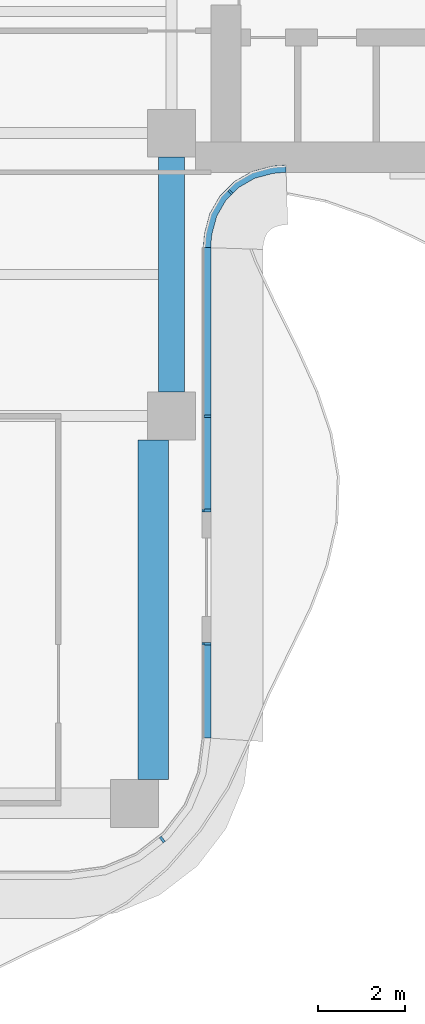
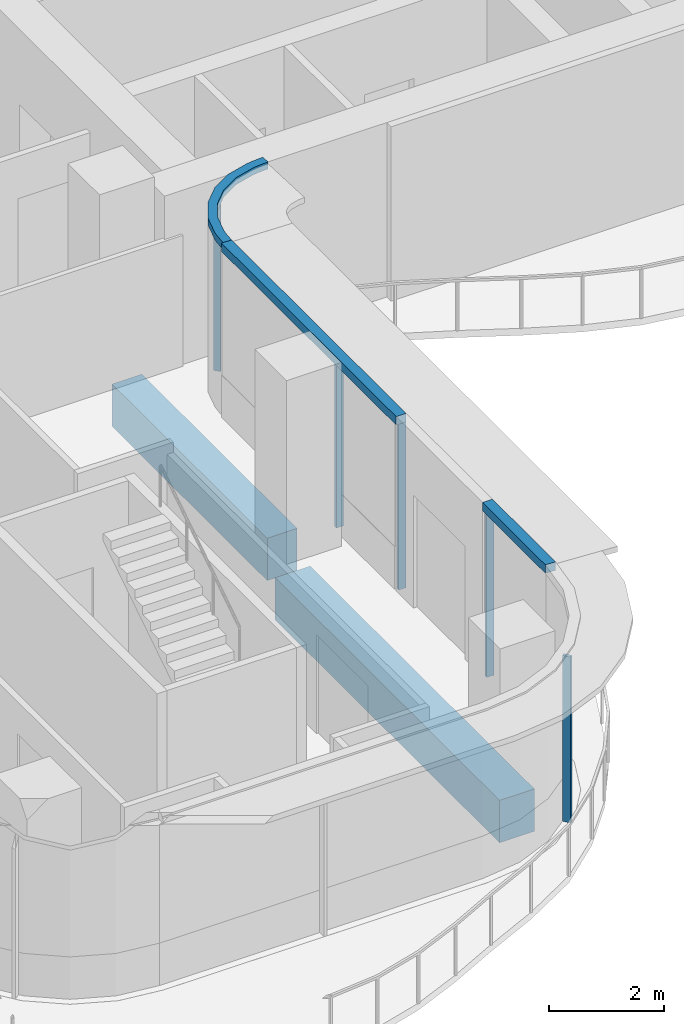
# One storey, part 5 of 16: 8 members, 2 beams, 4 elements without a shape of their own.
"""IFC4 building model written with IfcOpenShell, lengths in metres."""

from ifc_helpers import new_model, si_unit, direction, frame, origin, origin_2d, place, context, subcontext, project, spatial, polyline, rectangle, outline, extrude, source, transform, mapped, material, layer, layer_set, material_profile, profile_set, type_object, element, aggregate, save


model = new_model("IFC4")

# Units and contexts
model_context = context("Model", 3, precision=1e-05, world=origin(), true_north=direction((0.0, 1.0)))
body_context = subcontext(model_context, "Body", "Model", "MODEL_VIEW")
ifc_project = project(units=[si_unit("LENGTHUNIT", "METRE"), si_unit("AREAUNIT", "SQUARE_METRE"), si_unit("VOLUMEUNIT", "CUBIC_METRE"), si_unit("PLANEANGLEUNIT", "RADIAN"), si_unit("MASSUNIT", "GRAM", prefix="KILO")], contexts=[model_context])

# Site, building, storey
site_placement = place(None, origin())
site = spatial("IfcSite", under=ifc_project, at=site_placement, CompositionType="ELEMENT")
building_placement = place(site_placement, origin())
building = spatial("IfcBuilding", under=site, at=building_placement, Name="Trellis Farm Tower", CompositionType="ELEMENT")
storey_placement = place(building_placement, frame((0.0, 0.0, 251.89990234375)))
storey = spatial("IfcBuildingStorey", under=building, at=storey_placement, Name="L56", CompositionType="ELEMENT", Elevation=251.89990234375)

# Beams
ifc_material_1 = material(Name="Concrete C60/75", Category="concrete")
ifc_material_profile_1 = material_profile(ifc_material_1, rectangle(XDim=0.60009765625, YDim=0.89990234375, at=origin_2d()), Name="RC spandrel beam 600x900 C60/75")
ifc_profile_set_1 = profile_set([ifc_material_profile_1], Name="Concrete C60/75")
beam_type_1 = type_object("IfcBeamType", Name="RC spandrel beam 600x900 C60/75", PredefinedType="SPANDREL", material=ifc_profile_set_1)
shared_shape_1 = source(origin(), body_context, "Body", "SweptSolid", [
    extrude(rectangle(XDim=0.60009765625, YDim=0.89990234375, at=origin_2d()), origin(), (0.0, 0.0, 1.0), 5.400146484375),
])
beam_1_placement = place(storey_placement, frame((5.60009765625, -11.550048828125, -0.64990234375), z_axis=(0.0, 1.0, 0.0), x_axis=(-1.0, 0.0, 0.0)))
element("IfcBeam", 1, at=beam_1_placement, inside=storey, type_object=beam_type_1, Name="Girder", PredefinedType="SPANDREL", context=body_context, shape_type="MappedRepresentation", body=[
    mapped(shared_shape_1, transform((0.0, 0.0, 0.0))),
])
ifc_material_profile_2 = material_profile(ifc_material_1, rectangle(XDim=0.699951171875, YDim=0.89990234375, at=origin_2d()), Name="RC spandrel beam 700x900 C60/75")
ifc_profile_set_2 = profile_set([ifc_material_profile_2], Name="Concrete C60/75")
beam_type_2 = type_object("IfcBeamType", Name="RC spandrel beam 700x900 C60/75", PredefinedType="SPANDREL", material=ifc_profile_set_2)
shared_shape_2 = source(origin(), body_context, "Body", "SweptSolid", [
    extrude(rectangle(XDim=0.699951171875, YDim=0.89990234375, at=origin_2d()), origin(), (0.0, 0.0, 1.0), 7.800048828125),
])
beam_2_placement = place(storey_placement, frame((5.175048828125, -20.449951171875, -0.64990234375), z_axis=(0.0, 1.0, 0.0), x_axis=(-1.0, 0.0, 0.0)))
element("IfcBeam", 2, at=beam_2_placement, inside=storey, type_object=beam_type_2, Name="Girder", PredefinedType="SPANDREL", context=body_context, shape_type="MappedRepresentation", body=[
    mapped(shared_shape_2, transform((0.0, 0.0, 0.0))),
])

# Curtain wall, member
ifc_material_2 = material(Name="Aluminium and glass curtain wall", Category="aluminium")
ifc_layer_1 = layer(ifc_material_2, 0.18994140625)
ifc_layer_set_1 = layer_set([ifc_layer_1], Name="RIBBON CURTAIN WALL CW1")
curtain_wall_type_1 = type_object("IfcCurtainWallType", Name="RIBBON CURTAIN WALL CW1", PredefinedType="NOTDEFINED", material=ifc_layer_set_1)
placement_1 = place(storey_placement, origin())
curtain_wall_1 = element("IfcCurtainWall", 3, at=placement_1, inside=storey, type_object=curtain_wall_type_1, Name="CW1 003", PredefinedType="NOTDEFINED")
ifc_material_3 = material(Name="Aluminium extrusion 6063-T6", Category="aluminium")
ifc_material_profile_3 = material_profile(ifc_material_3, rectangle(XDim=0.06005859375, YDim=0.14990234375, at=origin_2d()), Name="MULLION 60x150")
ifc_profile_set_3 = profile_set([ifc_material_profile_3], Name="Aluminium extrusion 6063-T6")
member_type_1 = type_object("IfcMemberType", Name="CW1 MULLION 60x150", PredefinedType="MULLION", material=ifc_profile_set_3)
shared_shape_3 = source(origin(), body_context, "Body", "SweptSolid", [
    extrude(rectangle(XDim=0.06005859375, YDim=0.14990234375, at=origin_2d()), origin(), (0.0, 0.0, 1.0), 3.52001953125),
])
member_1_placement = place(storey_placement, frame((5.385498046875, -21.828369140625, 0.0), z_axis=(0.0, 0.0, 1.0), x_axis=(0.793353340291, 0.608761429009, 0.0)))
member_1 = element("IfcMember", 4, at=member_1_placement, type_object=member_type_1, Name="MU1 003-02", PredefinedType="MULLION", context=body_context, shape_type="MappedRepresentation", body=[
    mapped(shared_shape_3, transform((0.0, 0.0, 0.0))),
])
aggregate(curtain_wall_1, [member_1])

curtain_wall_2 = element("IfcCurtainWall", 5, at=placement_1, inside=storey, type_object=curtain_wall_type_1, Name="CW1 004", PredefinedType="NOTDEFINED")
member_2_placement = place(storey_placement, frame((6.425048828125, -17.330078125, 0.0), z_axis=(0.0, 0.0, 1.0), x_axis=(0.0, 1.0, 0.0)))
member_2 = element("IfcMember", 6, at=member_2_placement, type_object=member_type_1, Name="MU1 004-01", PredefinedType="MULLION", context=body_context, shape_type="MappedRepresentation", body=[
    mapped(shared_shape_3, transform((0.0, 0.0, 0.0))),
])

# Curtain wall, members
curtain_wall_3 = element("IfcCurtainWall", 7, at=placement_1, inside=storey, type_object=curtain_wall_type_1, Name="CW1 005", PredefinedType="NOTDEFINED")
member_3_placement = place(storey_placement, frame((6.425048828125, -14.27001953125, 0.0), z_axis=(0.0, 0.0, 1.0), x_axis=(0.0, 1.0, 0.0)))
member_3 = element("IfcMember", 8, at=member_3_placement, type_object=member_type_1, Name="MU1 005-01", PredefinedType="MULLION", context=body_context, shape_type="MappedRepresentation", body=[
    mapped(shared_shape_3, transform((0.0, 0.0, 0.0))),
])
member_4_placement = place(storey_placement, frame((6.425048828125, -12.10009765625, 0.0), z_axis=(0.0, 0.0, 1.0), x_axis=(0.0, 1.0, 0.0)))
member_4 = element("IfcMember", 9, at=member_4_placement, type_object=member_type_1, Name="MU1 005-02", PredefinedType="MULLION", context=body_context, shape_type="MappedRepresentation", body=[
    mapped(shared_shape_3, transform((0.0, 0.0, 0.0))),
])

ifc_layer_2 = layer(ifc_material_2, 0.166015625)
ifc_layer_set_2 = layer_set([ifc_layer_2], Name="WINTER GARDEN CURTAIN WALL CW3")
curtain_wall_type_2 = type_object("IfcCurtainWallType", Name="WINTER GARDEN CURTAIN WALL CW3", PredefinedType="NOTDEFINED", material=ifc_layer_set_2)
curtain_wall_4 = element("IfcCurtainWall", 10, at=placement_1, inside=storey, type_object=curtain_wall_type_2, Name="CW3 002", PredefinedType="NOTDEFINED")
ifc_material_profile_4 = material_profile(ifc_material_3, rectangle(XDim=0.050048828125, YDim=0.1201171875, at=origin_2d()), Name="MULLION 50x120")
ifc_profile_set_4 = profile_set([ifc_material_profile_4], Name="Aluminium extrusion 6063-T6")
member_type_2 = type_object("IfcMemberType", Name="CW3 MULLION 50x120", PredefinedType="MULLION", material=ifc_profile_set_4)
shared_shape_4 = source(origin(), body_context, "Body", "SweptSolid", [
    extrude(rectangle(XDim=0.050048828125, YDim=0.1201171875, at=origin_2d()), origin(), (0.0, 0.0, 1.0), 3.550048828125),
])
member_5_placement = place(storey_placement, frame((6.953125, -6.953125, 0.0), z_axis=(0.0, 0.0, 1.0), x_axis=(0.707106781187, 0.707106781187, 0.0)))
member_5 = element("IfcMember", 11, at=member_5_placement, type_object=member_type_2, Name="MU3 002-01", PredefinedType="MULLION", context=body_context, shape_type="MappedRepresentation", body=[
    mapped(shared_shape_4, transform((0.0, 0.0, 0.0))),
])
ifc_layer_3 = layer(ifc_material_3, 0.169921875)
ifc_layer_set_3 = layer_set([ifc_layer_3], Name="Aluminium extrusion 6063-T6")
member_type_3 = type_object("IfcMemberType", Name="CW3 TRANSOM 170x150", PredefinedType="USERDEFINED", material=ifc_layer_set_3)
shared_shape_5 = source(origin(), body_context, "Body", "SweptSolid", [
    extrude(outline(polyline([(6.5, -8.2314453125), (6.513916015625, -8.01953125), (6.527587890625, -7.91552734375), (6.63671875, -7.508544921875), (6.846923828125, -7.144287109375), (7.144287109375, -6.846923828125), (7.508544921875, -6.63671875), (7.91552734375, -6.527587890625), (8.01953125, -6.513916015625), (8.2314453125, -6.5), (8.225830078125, -6.330078125), (8.0029296875, -6.3447265625), (7.88232421875, -6.360595703125), (7.44287109375, -6.478271484375), (7.0400390625, -6.7109375), (6.7109375, -7.0400390625), (6.478271484375, -7.44287109375), (6.360595703125, -7.88232421875), (6.3447265625, -8.0029296875), (6.330078125, -8.225830078125), (6.5, -8.2314453125)])), origin(), (0.0, 0.0, 1.0), 0.150146484375),
])
member_6_placement = place(storey_placement, frame((0.0, 0.0, 3.550048828125)))
member_6 = element("IfcMember", 12, at=member_6_placement, type_object=member_type_3, Name="TR3 002", ObjectType="TRANSOM", PredefinedType="USERDEFINED", context=body_context, shape_type="MappedRepresentation", body=[
    mapped(shared_shape_5, transform((0.0, 0.0, 0.0))),
])
aggregate(curtain_wall_4, [member_5, member_6])

# Member
ifc_layer_4 = layer(ifc_material_3, 0.199951171875)
ifc_layer_set_4 = layer_set([ifc_layer_4], Name="Aluminium extrusion 6063-T6")
member_type_4 = type_object("IfcMemberType", Name="CW1 TRANSOM 200x180", PredefinedType="USERDEFINED", material=ifc_layer_set_4)
shared_shape_6 = source(origin(), body_context, "Body", "SweptSolid", [
    extrude(outline(polyline([(6.5, -19.5), (6.5, -17.300048828125), (6.300048828125, -17.300048828125), (6.300048828125, -19.48681640625), (6.5, -19.5)])), origin(), (0.0, 0.0, 1.0), 0.18017578125),
])
placement_2 = place(storey_placement, frame((0.0, 0.0, 3.52001953125)))
member_7 = element("IfcMember", 13, at=placement_2, type_object=member_type_4, Name="TR1 004", ObjectType="TRANSOM", PredefinedType="USERDEFINED", context=body_context, shape_type="MappedRepresentation", body=[
    mapped(shared_shape_6, transform((0.0, 0.0, 0.0))),
])

aggregate(curtain_wall_2, [member_2, member_7])

shared_shape_7 = source(origin(), body_context, "Body", "SweptSolid", [
    extrude(outline(polyline([(6.5, -14.300048828125), (6.5, -8.2314453125), (6.300048828125, -8.224853515625), (6.300048828125, -14.300048828125), (6.5, -14.300048828125)])), origin(), (0.0, 0.0, 1.0), 0.18017578125),
])
member_8 = element("IfcMember", 14, at=placement_2, type_object=member_type_4, Name="TR1 005", ObjectType="TRANSOM", PredefinedType="USERDEFINED", context=body_context, shape_type="MappedRepresentation", body=[
    mapped(shared_shape_7, transform((0.0, 0.0, 0.0))),
])

aggregate(curtain_wall_3, [member_3, member_4, member_8])

save(model, "model.ifc")
